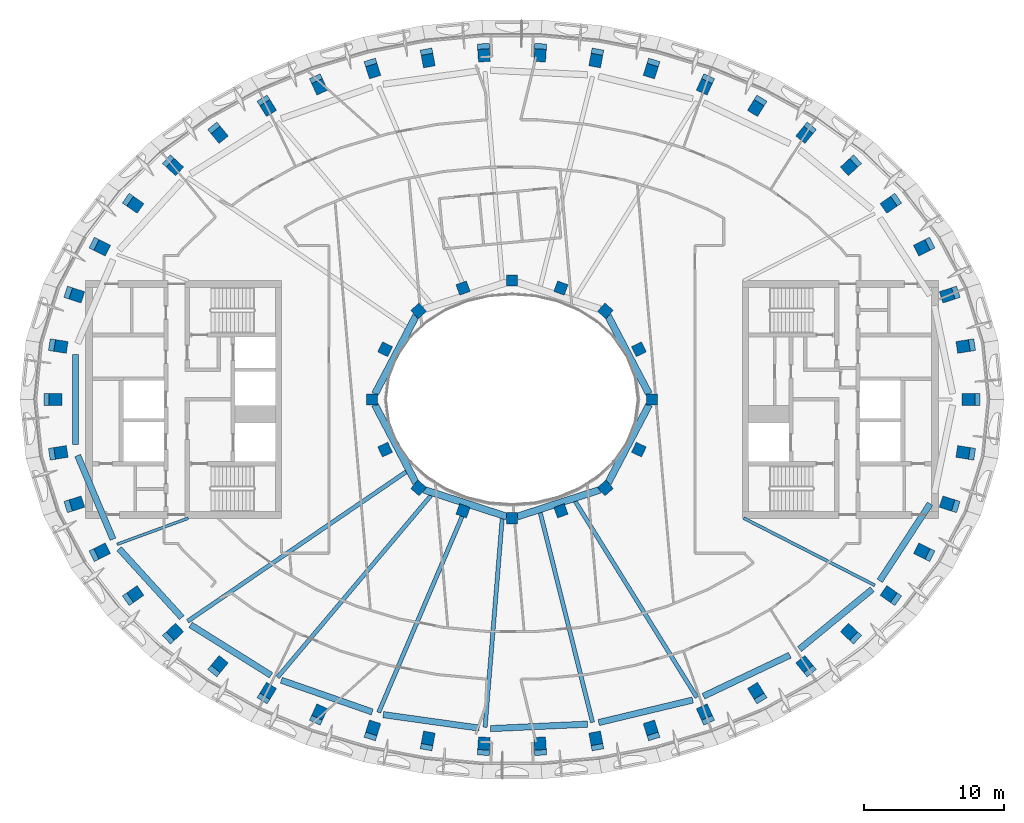
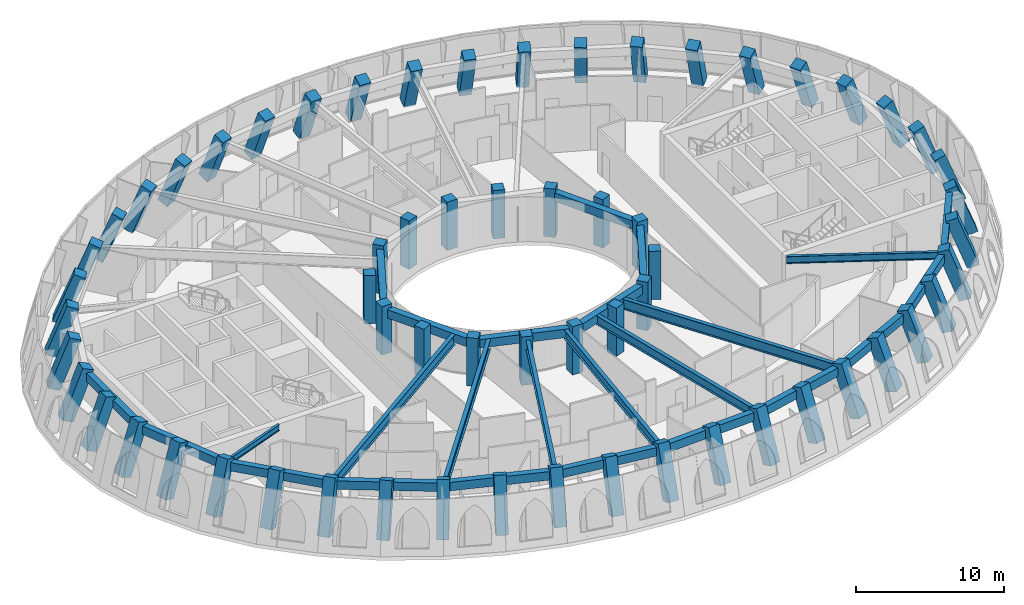
# One storey, part 1 of 14: 62 columns, 25 beams.
"""IFC4 building model written with IfcOpenShell, lengths in metres."""

from ifc_helpers import new_model, si_unit, direction, frame, origin, origin_2d, place, context, subcontext, project, spatial, rectangle, i_section, extrude, material, material_profile, profile_set, type_object, element, save


model = new_model("IFC4")

# Units and contexts
model_context = context("Model", 3, precision=1e-05, world=origin(), true_north=direction((0.0, 1.0)))
body_context = subcontext(model_context, "Body", "Model", "MODEL_VIEW")
ifc_project = project(units=[si_unit("LENGTHUNIT", "METRE"), si_unit("AREAUNIT", "SQUARE_METRE"), si_unit("VOLUMEUNIT", "CUBIC_METRE"), si_unit("PLANEANGLEUNIT", "RADIAN"), si_unit("MASSUNIT", "GRAM", prefix="KILO")], contexts=[model_context])

# Site, building, storey
site_placement = place(None, origin())
site = spatial("IfcSite", under=ifc_project, at=site_placement, CompositionType="ELEMENT")
building_placement = place(site_placement, origin())
building = spatial("IfcBuilding", under=site, at=building_placement, Name="Noorbagh Ring Tower", CompositionType="ELEMENT")
storey_placement = place(building_placement, frame((0.0, 0.0, 339.0)))
storey = spatial("IfcBuildingStorey", under=building, at=storey_placement, Name="L74", CompositionType="ELEMENT", Elevation=339.0)

# Columns
ifc_material_1 = material(Name="Concrete C50/60", Category="concrete")
ifc_material_profile_1 = material_profile(ifc_material_1, rectangle(XDim=0.85009765625, YDim=0.85009765625, at=origin_2d()), Name="RC850x850")
ifc_profile_set_1 = profile_set([ifc_material_profile_1], Name="Concrete C50/60")
column_type_1 = type_object("IfcColumnType", Name="STR-COL-RC850x850-C50-60", PredefinedType="COLUMN", material=ifc_profile_set_1)
column_1_placement = place(storey_placement, frame((33.09423828125, 0.0, 0.021240234375), z_axis=(-0.350534422244, 0.0, 0.936549848552), x_axis=(0.0, -1.0, 0.0)))
element("IfcColumn", 1, at=column_1_placement, inside=storey, type_object=column_type_1, Name="L74/col/R1-01", PredefinedType="COLUMN", context=body_context, shape_type="SweptSolid", body=[
    extrude(rectangle(XDim=0.85009765625, YDim=0.85009765625, at=origin_2d()), origin(), (0.0, 0.0, 1.0), 4.224853515625),
])
column_2_placement = place(storey_placement, frame((32.699462890625, 3.859619140625, 0.021240234375), z_axis=(-0.34611183785, -0.05524844164, 0.936565110068), x_axis=(0.157630366654, -0.987498186079, 0.0)))
element("IfcColumn", 2, at=column_2_placement, inside=storey, type_object=column_type_1, Name="L74/col/R1-02", PredefinedType="COLUMN", context=body_context, shape_type="SweptSolid", body=[
    extrude(rectangle(XDim=0.85009765625, YDim=0.85009765625, at=origin_2d()), origin(), (0.0, 0.0, 1.0), 4.224609375),
])
for number, where, z_axis, x_axis, name in (
    (3, (31.545166015625, 7.5791015625, 0.021240234375), (-0.33329505095, -0.108131617882, 0.936601282418), (0.308597466922, -0.951192726743, 0.0), "L74/col/R1-03"),
    (4, (29.7109375, 11.04296875, 0.021240234375), (-0.313191658537, -0.156971497433, 0.936627425403), (0.448071258187, -0.893997845404, 0.0), "L74/col/R1-04"),
    (5, (27.302490234375, 14.171875, 0.021240234375), (-0.287182170429, -0.200663412302, 0.936621906615), (0.572764626003, -0.819719880935, 0.0), "L74/col/R1-05"),
    (6, (24.4287109375, 16.920654296875, 0.021240234375), (-0.256378627812, -0.238751152275, 0.936625798539), (0.681500799635, -0.731817367993, 0.0), "L74/col/R1-06"),
):
    element("IfcColumn", number, at=place(storey_placement, frame(where, z_axis=z_axis, x_axis=x_axis)), inside=storey, type_object=column_type_1, Name=name, PredefinedType="COLUMN", context=body_context, shape_type="SweptSolid", body=[
        extrude(rectangle(XDim=0.85009765625, YDim=0.85009765625, at=origin_2d()), origin(), (0.0, 0.0, 1.0), 4.224365234375),
    ])
column_3_placement = place(storey_placement, frame((21.189697265625, 19.26953125, 0.021240234375), z_axis=(-0.221991808576, -0.271002236505, 0.936630890338), x_axis=(0.773589639893, -0.633686885654, 0.0)))
element("IfcColumn", 7, at=column_3_placement, inside=storey, type_object=column_type_1, Name="L74/col/R1-07", PredefinedType="COLUMN", context=body_context, shape_type="SweptSolid", body=[
    extrude(rectangle(XDim=0.85009765625, YDim=0.85009765625, at=origin_2d()), origin(), (0.0, 0.0, 1.0), 4.22412109375),
])
column_4_placement = place(storey_placement, frame((17.669921875, 21.21435546875, 0.021240234375), z_axis=(-0.184826425554, -0.297641054285, 0.936615713738), x_axis=(0.849533103063, -0.52753531332, 0.0)))
element("IfcColumn", 8, at=column_4_placement, inside=storey, type_object=column_type_1, Name="L74/col/R1-08", PredefinedType="COLUMN", context=body_context, shape_type="SweptSolid", body=[
    extrude(rectangle(XDim=0.85009765625, YDim=0.85009765625, at=origin_2d()), origin(), (0.0, 0.0, 1.0), 4.224365234375),
])
column_5_placement = place(storey_placement, frame((13.93994140625, 22.758544921875, 0.021240234375), z_axis=(-0.145632763211, -0.318658355692, 0.936615156095), x_axis=(0.909517238912, -0.415666202767, 0.0)))
element("IfcColumn", 9, at=column_5_placement, inside=storey, type_object=column_type_1, Name="L74/col/R1-09", PredefinedType="COLUMN", context=body_context, shape_type="SweptSolid", body=[
    extrude(rectangle(XDim=0.85009765625, YDim=0.85009765625, at=origin_2d()), origin(), (0.0, 0.0, 1.0), 4.224609375),
])
for number, where, z_axis, x_axis, name in (
    (10, (10.058349609375, 23.90869140625, 0.021240234375), (-0.105001516641, -0.334363662787, 0.936576543861), (0.954062417063, -0.299607917699, 0.0), "L74/col/R1-10"),
    (11, (6.074462890625, 24.671142578125, 0.021240234375), (-0.063393304887, -0.344704707067, 0.93656817895), (0.983506486095, -0.180872860896, 0.0), "L74/col/R1-11"),
    (12, (2.03125, 25.051025390625, 0.021240234375), (-0.021208117752, -0.349847261224, 0.936566660498), (0.998167591429, -0.060509994393, 0.0), "L74/col/R1-12"),
    (13, (-2.03125, 25.051025390625, 0.021240234375), (0.021208117752, -0.349847261224, 0.936566660498), (0.998167591429, 0.060509994393, 0.0), "L74/col/R1-13"),
    (14, (-6.074462890625, 24.671142578125, 0.021240234375), (0.063393304887, -0.344704707067, 0.93656817895), (0.983506486095, 0.180872860896, 0.0), "L74/col/R1-14"),
    (15, (-10.058349609375, 23.90869140625, 0.021240234375), (0.105001516641, -0.334363662787, 0.936576543861), (0.954062417063, 0.299607917699, 0.0), "L74/col/R1-15"),
):
    element("IfcColumn", number, at=place(storey_placement, frame(where, z_axis=z_axis, x_axis=x_axis)), inside=storey, type_object=column_type_1, Name=name, PredefinedType="COLUMN", context=body_context, shape_type="SweptSolid", body=[
        extrude(rectangle(XDim=0.85009765625, YDim=0.85009765625, at=origin_2d()), origin(), (0.0, 0.0, 1.0), 4.224853515625),
    ])
column_6_placement = place(storey_placement, frame((-13.93994140625, 22.758544921875, 0.021240234375), z_axis=(0.145632763211, -0.318658355692, 0.936615156095), x_axis=(0.909517238912, 0.415666202767, 0.0)))
element("IfcColumn", 16, at=column_6_placement, inside=storey, type_object=column_type_1, Name="L74/col/R1-16", PredefinedType="COLUMN", context=body_context, shape_type="SweptSolid", body=[
    extrude(rectangle(XDim=0.85009765625, YDim=0.85009765625, at=origin_2d()), origin(), (0.0, 0.0, 1.0), 4.224609375),
])
column_7_placement = place(storey_placement, frame((-17.669921875, 21.21435546875, 0.021240234375), z_axis=(0.184826425554, -0.297641054285, 0.936615713738), x_axis=(0.849533103063, 0.52753531332, 0.0)))
element("IfcColumn", 17, at=column_7_placement, inside=storey, type_object=column_type_1, Name="L74/col/R1-17", PredefinedType="COLUMN", context=body_context, shape_type="SweptSolid", body=[
    extrude(rectangle(XDim=0.85009765625, YDim=0.85009765625, at=origin_2d()), origin(), (0.0, 0.0, 1.0), 4.224365234375),
])
column_8_placement = place(storey_placement, frame((-21.189697265625, 19.26953125, 0.021240234375), z_axis=(0.221991808576, -0.271002236505, 0.936630890338), x_axis=(0.773589639893, 0.633686885654, 0.0)))
element("IfcColumn", 18, at=column_8_placement, inside=storey, type_object=column_type_1, Name="L74/col/R1-18", PredefinedType="COLUMN", context=body_context, shape_type="SweptSolid", body=[
    extrude(rectangle(XDim=0.85009765625, YDim=0.85009765625, at=origin_2d()), origin(), (0.0, 0.0, 1.0), 4.22412109375),
])
for number, where, z_axis, x_axis, name in (
    (19, (-24.4287109375, 16.920654296875, 0.021240234375), (0.256378627812, -0.238751152275, 0.936625798539), (0.681500799635, 0.731817367993, 0.0), "L74/col/R1-19"),
    (20, (-27.302490234375, 14.171875, 0.021240234375), (0.287182170429, -0.200663412302, 0.936621906615), (0.572764626003, 0.819719880935, 0.0), "L74/col/R1-20"),
    (21, (-29.7109375, 11.04296875, 0.021240234375), (0.313191658537, -0.156971497433, 0.936627425403), (0.448071258187, 0.893997845404, 0.0), "L74/col/R1-21"),
    (22, (-31.545166015625, 7.5791015625, 0.021240234375), (0.33329505095, -0.108131617882, 0.936601282418), (0.308597466922, 0.951192726743, 0.0), "L74/col/R1-22"),
):
    element("IfcColumn", number, at=place(storey_placement, frame(where, z_axis=z_axis, x_axis=x_axis)), inside=storey, type_object=column_type_1, Name=name, PredefinedType="COLUMN", context=body_context, shape_type="SweptSolid", body=[
        extrude(rectangle(XDim=0.85009765625, YDim=0.85009765625, at=origin_2d()), origin(), (0.0, 0.0, 1.0), 4.224365234375),
    ])
column_9_placement = place(storey_placement, frame((-32.699462890625, 3.859619140625, 0.021240234375), z_axis=(0.34611183785, -0.05524844164, 0.936565110068), x_axis=(0.157630366654, 0.987498186079, 0.0)))
element("IfcColumn", 23, at=column_9_placement, inside=storey, type_object=column_type_1, Name="L74/col/R1-23", PredefinedType="COLUMN", context=body_context, shape_type="SweptSolid", body=[
    extrude(rectangle(XDim=0.85009765625, YDim=0.85009765625, at=origin_2d()), origin(), (0.0, 0.0, 1.0), 4.224609375),
])
column_10_placement = place(storey_placement, frame((-33.09423828125, 0.0, 0.021240234375), z_axis=(0.350534422244, 0.0, 0.936549848552), x_axis=(0.0, 1.0, 0.0)))
element("IfcColumn", 24, at=column_10_placement, inside=storey, type_object=column_type_1, Name="L74/col/R1-24", PredefinedType="COLUMN", context=body_context, shape_type="SweptSolid", body=[
    extrude(rectangle(XDim=0.85009765625, YDim=0.85009765625, at=origin_2d()), origin(), (0.0, 0.0, 1.0), 4.224853515625),
])
column_11_placement = place(storey_placement, frame((-32.699462890625, -3.859619140625, 0.021240234375), z_axis=(0.34611183785, 0.05524844164, 0.936565110068), x_axis=(-0.157630366654, 0.987498186079, 0.0)))
element("IfcColumn", 25, at=column_11_placement, inside=storey, type_object=column_type_1, Name="L74/col/R1-25", PredefinedType="COLUMN", context=body_context, shape_type="SweptSolid", body=[
    extrude(rectangle(XDim=0.85009765625, YDim=0.85009765625, at=origin_2d()), origin(), (0.0, 0.0, 1.0), 4.224609375),
])
for number, where, z_axis, x_axis, name in (
    (26, (-31.545166015625, -7.5791015625, 0.021240234375), (0.33329505095, 0.108131617882, 0.936601282418), (-0.308597466922, 0.951192726743, 0.0), "L74/col/R1-26"),
    (27, (-29.7109375, -11.04296875, 0.021240234375), (0.313191658537, 0.156971497433, 0.936627425403), (-0.448071258187, 0.893997845404, 0.0), "L74/col/R1-27"),
    (28, (-27.302490234375, -14.171875, 0.021240234375), (0.287182170429, 0.200663412302, 0.936621906615), (-0.572764626003, 0.819719880935, 0.0), "L74/col/R1-28"),
    (29, (-24.4287109375, -16.920654296875, 0.021240234375), (0.256378627812, 0.238751152275, 0.936625798539), (-0.681500799635, 0.731817367993, 0.0), "L74/col/R1-29"),
):
    element("IfcColumn", number, at=place(storey_placement, frame(where, z_axis=z_axis, x_axis=x_axis)), inside=storey, type_object=column_type_1, Name=name, PredefinedType="COLUMN", context=body_context, shape_type="SweptSolid", body=[
        extrude(rectangle(XDim=0.85009765625, YDim=0.85009765625, at=origin_2d()), origin(), (0.0, 0.0, 1.0), 4.224365234375),
    ])
column_12_placement = place(storey_placement, frame((-21.189697265625, -19.26953125, 0.021240234375), z_axis=(0.221991808576, 0.271002236505, 0.936630890338), x_axis=(-0.773589639893, 0.633686885654, 0.0)))
element("IfcColumn", 30, at=column_12_placement, inside=storey, type_object=column_type_1, Name="L74/col/R1-30", PredefinedType="COLUMN", context=body_context, shape_type="SweptSolid", body=[
    extrude(rectangle(XDim=0.85009765625, YDim=0.85009765625, at=origin_2d()), origin(), (0.0, 0.0, 1.0), 4.22412109375),
])
column_13_placement = place(storey_placement, frame((-17.669921875, -21.21435546875, 0.021240234375), z_axis=(0.184826425554, 0.297641054285, 0.936615713738), x_axis=(-0.849533103063, 0.52753531332, 0.0)))
element("IfcColumn", 31, at=column_13_placement, inside=storey, type_object=column_type_1, Name="L74/col/R1-31", PredefinedType="COLUMN", context=body_context, shape_type="SweptSolid", body=[
    extrude(rectangle(XDim=0.85009765625, YDim=0.85009765625, at=origin_2d()), origin(), (0.0, 0.0, 1.0), 4.224365234375),
])
column_14_placement = place(storey_placement, frame((-13.93994140625, -22.758544921875, 0.021240234375), z_axis=(0.145632763211, 0.318658355692, 0.936615156095), x_axis=(-0.909517238912, 0.415666202767, 0.0)))
element("IfcColumn", 32, at=column_14_placement, inside=storey, type_object=column_type_1, Name="L74/col/R1-32", PredefinedType="COLUMN", context=body_context, shape_type="SweptSolid", body=[
    extrude(rectangle(XDim=0.85009765625, YDim=0.85009765625, at=origin_2d()), origin(), (0.0, 0.0, 1.0), 4.224609375),
])
for number, where, z_axis, x_axis, name in (
    (33, (-10.058349609375, -23.90869140625, 0.021240234375), (0.105001516641, 0.334363662787, 0.936576543861), (-0.954062417063, 0.299607917699, 0.0), "L74/col/R1-33"),
    (34, (-6.074462890625, -24.671142578125, 0.021240234375), (0.063393304887, 0.344704707067, 0.93656817895), (-0.983506486095, 0.180872860896, 0.0), "L74/col/R1-34"),
    (35, (-2.03125, -25.051025390625, 0.021240234375), (0.021208117752, 0.349847261224, 0.936566660498), (-0.998167591429, 0.060509994393, 0.0), "L74/col/R1-35"),
    (36, (2.03125, -25.051025390625, 0.021240234375), (-0.021208117752, 0.349847261224, 0.936566660498), (-0.998167591429, -0.060509994393, 0.0), "L74/col/R1-36"),
    (37, (6.074462890625, -24.671142578125, 0.021240234375), (-0.063393304887, 0.344704707067, 0.93656817895), (-0.983506486095, -0.180872860896, 0.0), "L74/col/R1-37"),
    (38, (10.058349609375, -23.90869140625, 0.021240234375), (-0.105001516641, 0.334363662787, 0.936576543861), (-0.954062417063, -0.299607917699, 0.0), "L74/col/R1-38"),
):
    element("IfcColumn", number, at=place(storey_placement, frame(where, z_axis=z_axis, x_axis=x_axis)), inside=storey, type_object=column_type_1, Name=name, PredefinedType="COLUMN", context=body_context, shape_type="SweptSolid", body=[
        extrude(rectangle(XDim=0.85009765625, YDim=0.85009765625, at=origin_2d()), origin(), (0.0, 0.0, 1.0), 4.224853515625),
    ])
column_15_placement = place(storey_placement, frame((13.93994140625, -22.758544921875, 0.021240234375), z_axis=(-0.145632763211, 0.318658355692, 0.936615156095), x_axis=(-0.909517238912, -0.415666202767, 0.0)))
element("IfcColumn", 39, at=column_15_placement, inside=storey, type_object=column_type_1, Name="L74/col/R1-39", PredefinedType="COLUMN", context=body_context, shape_type="SweptSolid", body=[
    extrude(rectangle(XDim=0.85009765625, YDim=0.85009765625, at=origin_2d()), origin(), (0.0, 0.0, 1.0), 4.224609375),
])
column_16_placement = place(storey_placement, frame((17.669921875, -21.21435546875, 0.021240234375), z_axis=(-0.184826425554, 0.297641054285, 0.936615713738), x_axis=(-0.849533103063, -0.52753531332, 0.0)))
element("IfcColumn", 40, at=column_16_placement, inside=storey, type_object=column_type_1, Name="L74/col/R1-40", PredefinedType="COLUMN", context=body_context, shape_type="SweptSolid", body=[
    extrude(rectangle(XDim=0.85009765625, YDim=0.85009765625, at=origin_2d()), origin(), (0.0, 0.0, 1.0), 4.224365234375),
])
column_17_placement = place(storey_placement, frame((21.189697265625, -19.26953125, 0.021240234375), z_axis=(-0.221991808576, 0.271002236505, 0.936630890338), x_axis=(-0.773589639893, -0.633686885654, 0.0)))
element("IfcColumn", 41, at=column_17_placement, inside=storey, type_object=column_type_1, Name="L74/col/R1-41", PredefinedType="COLUMN", context=body_context, shape_type="SweptSolid", body=[
    extrude(rectangle(XDim=0.85009765625, YDim=0.85009765625, at=origin_2d()), origin(), (0.0, 0.0, 1.0), 4.22412109375),
])
for number, where, z_axis, x_axis, name in (
    (42, (24.4287109375, -16.920654296875, 0.021240234375), (-0.256378627812, 0.238751152275, 0.936625798539), (-0.681500799635, -0.731817367993, 0.0), "L74/col/R1-42"),
    (43, (27.302490234375, -14.171875, 0.021240234375), (-0.287182170429, 0.200663412302, 0.936621906615), (-0.572764626003, -0.819719880935, 0.0), "L74/col/R1-43"),
    (44, (29.7109375, -11.04296875, 0.021240234375), (-0.313191658537, 0.156971497433, 0.936627425403), (-0.448071258187, -0.893997845404, 0.0), "L74/col/R1-44"),
    (45, (31.545166015625, -7.5791015625, 0.021240234375), (-0.33329505095, 0.108131617882, 0.936601282418), (-0.308597466922, -0.951192726743, 0.0), "L74/col/R1-45"),
):
    element("IfcColumn", number, at=place(storey_placement, frame(where, z_axis=z_axis, x_axis=x_axis)), inside=storey, type_object=column_type_1, Name=name, PredefinedType="COLUMN", context=body_context, shape_type="SweptSolid", body=[
        extrude(rectangle(XDim=0.85009765625, YDim=0.85009765625, at=origin_2d()), origin(), (0.0, 0.0, 1.0), 4.224365234375),
    ])
column_18_placement = place(storey_placement, frame((32.699462890625, -3.859619140625, 0.021240234375), z_axis=(-0.34611183785, 0.05524844164, 0.936565110068), x_axis=(-0.157630366654, -0.987498186079, 0.0)))
element("IfcColumn", 46, at=column_18_placement, inside=storey, type_object=column_type_1, Name="L74/col/R1-46", PredefinedType="COLUMN", context=body_context, shape_type="SweptSolid", body=[
    extrude(rectangle(XDim=0.85009765625, YDim=0.85009765625, at=origin_2d()), origin(), (0.0, 0.0, 1.0), 4.224609375),
])
ifc_material_2 = material(Name="Concrete C50/60", Category="concrete")
ifc_material_profile_2 = material_profile(ifc_material_2, rectangle(XDim=0.800048828125, YDim=0.800048828125, at=origin_2d()), Name="RC800x800")
ifc_profile_set_2 = profile_set([ifc_material_profile_2], Name="Concrete C50/60")
column_type_2 = type_object("IfcColumnType", Name="STR-ICOL-RC800x800-C50-60", PredefinedType="COLUMN", material=ifc_profile_set_2)
for number, where, z_axis, x_axis, name in (
    (47, (10.00830078125, 0.0, 0.0), (0.0, 0.0, 1.0), (0.0, 1.0, 0.0), "L74/col/IR2-W01"),
    (48, (9.07568359375, 3.58837890625, 0.0), (0.0, 0.0, 1.0), (-0.428666979171, 0.903462573087, 0.0), "L74/col/IR2-W03"),
    (49, (6.68212890625, 6.333740234375, 0.0), (0.0, 0.0, 1.0), (-0.75102249095, 0.660276622399, 0.0), "L74/col/IR2-W05"),
    (50, (3.5009765625, 7.967041015625, 0.0), (0.0, 0.0, 1.0), (-0.939019578916, 0.343863679984, 0.0), "L74/col/IR2-W07"),
    (51, (0.0, 8.5029296875, 0.0), (0.0, 0.0, 1.0), (-1.0, 0.0, 0.0), "L74/col/IR2-W09"),
    (52, (-3.5009765625, 7.967041015625, 0.0), (0.0, 0.0, 1.0), (-0.939019578916, -0.343863679984, 0.0), "L74/col/IR2-W11"),
    (53, (-6.68212890625, 6.333740234375, 0.0), (0.0, 0.0, 1.0), (-0.75102249095, -0.660276622399, 0.0), "L74/col/IR2-W13"),
    (54, (-9.07568359375, 3.58837890625, 0.0), (0.0, 0.0, 1.0), (-0.428666979171, -0.903462573087, 0.0), "L74/col/IR2-W15"),
    (55, (-10.00830078125, 0.0, 0.0), (0.0, 0.0, 1.0), (0.0, -1.0, 0.0), "L74/col/IR2-W17"),
    (56, (-9.07568359375, -3.58837890625, 0.0), (0.0, 0.0, 1.0), (0.428666979171, -0.903462573087, 0.0), "L74/col/IR2-W19"),
    (57, (-6.68212890625, -6.333740234375, 0.0), (0.0, 0.0, 1.0), (0.75102249095, -0.660276622399, 0.0), "L74/col/IR2-W21"),
    (58, (-3.5009765625, -7.967041015625, 0.0), (0.0, 0.0, 1.0), (0.939019578916, -0.343863679984, 0.0), "L74/col/IR2-W23"),
    (59, (0.0, -8.5029296875, 0.0), (0.0, 0.0, 1.0), (1.0, 0.0, 0.0), "L74/col/IR2-W25"),
    (60, (3.5009765625, -7.967041015625, 0.0), (0.0, 0.0, 1.0), (0.939019578916, 0.343863679984, 0.0), "L74/col/IR2-W27"),
    (61, (6.68212890625, -6.333740234375, 0.0), (0.0, 0.0, 1.0), (0.75102249095, 0.660276622399, 0.0), "L74/col/IR2-W29"),
    (62, (9.07568359375, -3.58837890625, 0.0), (0.0, 0.0, 1.0), (0.428666979171, 0.903462573087, 0.0), "L74/col/IR2-W31"),
):
    element("IfcColumn", number, at=place(storey_placement, frame(where, z_axis=z_axis, x_axis=x_axis)), inside=storey, type_object=column_type_2, Name=name, PredefinedType="COLUMN", context=body_context, shape_type="SweptSolid", body=[
        extrude(rectangle(XDim=0.800048828125, YDim=0.800048828125, at=origin_2d()), origin(), (0.0, 0.0, 1.0), 4.0),
    ])

# Beams
ifc_material_3 = material(Name="Steel S355", Category="steel")
ifc_material_profile_3 = material_profile(ifc_material_3, i_section(OverallWidth=0.199951171875, OverallDepth=0.5, WebThickness=0.01025390625, FlangeThickness=0.01611328125, FilletRadius=0.02099609375, at=origin_2d()), Name="IPE500")
ifc_profile_set_3 = profile_set([ifc_material_profile_3], Name="Steel S355")
beam_type_1 = type_object("IfcBeamType", Name="STR-RAD-IPE500", PredefinedType="BEAM", material=ifc_profile_set_3)
beam_1_placement = place(storey_placement, frame((-28.2490234375, -10.36279296875, 3.449951171875), z_axis=(0.938825916559, 0.344392070752, 0.0), x_axis=(-0.344392070752, 0.938825916559, 0.0)))
element("IfcBeam", 63, at=beam_1_placement, inside=storey, type_object=beam_type_1, Name="L74/bm/RD27", PredefinedType="BEAM", context=body_context, shape_type="SweptSolid", body=[
    extrude(i_section(OverallWidth=0.199951171875, OverallDepth=0.5, WebThickness=0.01025390625, FlangeThickness=0.01611328125, FilletRadius=0.02099609375, at=origin_2d()), origin(), (0.0, 0.0, 1.0), 5.4287109375),
])
ifc_material_4 = material(Name="Steel S355", Category="steel")
ifc_material_profile_4 = material_profile(ifc_material_4, i_section(OverallWidth=0.219970703125, OverallDepth=0.60009765625, WebThickness=0.011962890625, FlangeThickness=0.01904296875, FilletRadius=0.02392578125, at=origin_2d()), Name="IPE600")
ifc_profile_set_4 = profile_set([ifc_material_profile_4], Name="Steel S355")
beam_type_2 = type_object("IfcBeamType", Name="STR-RAD-IPE600", PredefinedType="BEAM", material=ifc_profile_set_4)
beam_2_placement = place(storey_placement, frame((25.946044921875, -13.293701171875, 3.39990234375), z_axis=(-0.889989222768, 0.455981560326, 0.0), x_axis=(-0.455981560326, -0.889989222768, 0.0)))
element("IfcBeam", 64, at=beam_2_placement, inside=storey, type_object=beam_type_2, Name="L74/bm/RD43", PredefinedType="BEAM", context=body_context, shape_type="SweptSolid", body=[
    extrude(i_section(OverallWidth=0.219970703125, OverallDepth=0.60009765625, WebThickness=0.011962890625, FlangeThickness=0.01904296875, FilletRadius=0.02392578125, at=origin_2d()), origin(), (0.0, 0.0, 1.0), 10.53271484375),
])
ifc_material_5 = material(Name="Steel S355", Category="steel")
ifc_material_profile_5 = material_profile(ifc_material_5, i_section(OverallWidth=0.300048828125, OverallDepth=0.75, WebThickness=0.013916015625, FlangeThickness=0.02587890625, at=origin_2d()), Name="PG750x300x14x26")
ifc_profile_set_5 = profile_set([ifc_material_profile_5], Name="Steel S355")
beam_type_3 = type_object("IfcBeamType", Name="STR-RAD-PG750x300x14x26", PredefinedType="BEAM", material=ifc_profile_set_5)
beam_3_placement = place(storey_placement, frame((-9.5380859375, -22.386962890625, 3.324951171875), z_axis=(0.391958791076, 0.919982774892, 0.0), x_axis=(-0.919982774892, 0.391958791076, 0.0)))
element("IfcBeam", 65, at=beam_3_placement, inside=storey, type_object=beam_type_3, Name="L74/bm/RD33", PredefinedType="BEAM", context=body_context, shape_type="SweptSolid", body=[
    extrude(i_section(OverallWidth=0.300048828125, OverallDepth=0.75, WebThickness=0.013916015625, FlangeThickness=0.02587890625, at=origin_2d()), origin(), (0.0, 0.0, 1.0), 15.983642578125),
])
beam_4_placement = place(storey_placement, frame((-1.925537109375, -23.450439453125, 3.324951171875), z_axis=(0.081833076526, 0.9966460493, 0.0), x_axis=(-0.9966460493, 0.081833076526, 0.0)))
element("IfcBeam", 66, at=beam_4_placement, inside=storey, type_object=beam_type_3, Name="L74/bm/RD35", PredefinedType="BEAM", context=body_context, shape_type="SweptSolid", body=[
    extrude(i_section(OverallWidth=0.300048828125, OverallDepth=0.75, WebThickness=0.013916015625, FlangeThickness=0.02587890625, at=origin_2d()), origin(), (0.0, 0.0, 1.0), 14.982666015625),
])
beam_5_placement = place(storey_placement, frame((5.759033203125, -23.0966796875, 3.324951171875), z_axis=(-0.241941309375, 0.970290885672, 0.0), x_axis=(-0.970290885672, -0.241941309375, 0.0)))
element("IfcBeam", 67, at=beam_5_placement, inside=storey, type_object=beam_type_3, Name="L74/bm/RD37", PredefinedType="BEAM", context=body_context, shape_type="SweptSolid", body=[
    extrude(i_section(OverallWidth=0.300048828125, OverallDepth=0.75, WebThickness=0.013916015625, FlangeThickness=0.02587890625, at=origin_2d()), origin(), (0.0, 0.0, 1.0), 15.46630859375),
])
ifc_material_6 = material(Name="Steel S355", Category="steel")
ifc_material_profile_6 = material_profile(ifc_material_6, i_section(OverallWidth=0.300048828125, OverallDepth=0.85009765625, WebThickness=0.013916015625, FlangeThickness=0.028076171875, at=origin_2d()), Name="PG850x300x14x28")
ifc_profile_set_6 = profile_set([ifc_material_profile_6], Name="Steel S355")
beam_type_4 = type_object("IfcBeamType", Name="STR-RAD-PG850x300x14x28", PredefinedType="BEAM", material=ifc_profile_set_6)
beam_6_placement = place(storey_placement, frame((-23.202880859375, -15.865478515625, 3.27490234375), z_axis=(0.825471816263, 0.564443336886, 0.0), x_axis=(-0.564443336886, 0.825471816263, 0.0)))
element("IfcBeam", 68, at=beam_6_placement, inside=storey, type_object=beam_type_4, Name="L74/bm/RD29", PredefinedType="BEAM", context=body_context, shape_type="SweptSolid", body=[
    extrude(i_section(OverallWidth=0.300048828125, OverallDepth=0.85009765625, WebThickness=0.013916015625, FlangeThickness=0.028076171875, at=origin_2d()), origin(), (0.0, 0.0, 1.0), 18.955810546875),
])
beam_7_placement = place(storey_placement, frame((-16.76708984375, -19.875732421875, 3.27490234375), z_axis=(0.64479762158, 0.764353339238, 0.0), x_axis=(-0.764353339238, 0.64479762158, 0.0)))
element("IfcBeam", 69, at=beam_7_placement, inside=storey, type_object=beam_type_4, Name="L74/bm/RD31", PredefinedType="BEAM", context=body_context, shape_type="SweptSolid", body=[
    extrude(i_section(OverallWidth=0.300048828125, OverallDepth=0.85009765625, WebThickness=0.013916015625, FlangeThickness=0.028076171875, at=origin_2d()), origin(), (0.0, 0.0, 1.0), 17.0205078125),
])
beam_8_placement = place(storey_placement, frame((13.222900390625, -21.3154296875, 3.27490234375), z_axis=(-0.527159378283, 0.84976643255, 0.0), x_axis=(-0.84976643255, -0.527159378283, 0.0)))
element("IfcBeam", 70, at=beam_8_placement, inside=storey, type_object=beam_type_4, Name="L74/bm/RD39", PredefinedType="BEAM", context=body_context, shape_type="SweptSolid", body=[
    extrude(i_section(OverallWidth=0.300048828125, OverallDepth=0.85009765625, WebThickness=0.013916015625, FlangeThickness=0.028076171875, at=origin_2d()), origin(), (0.0, 0.0, 1.0), 16.517333984375),
])
ifc_material_7 = material(Name="Concrete C40/50", Category="concrete")
ifc_material_profile_7 = material_profile(ifc_material_7, rectangle(XDim=0.5, YDim=0.699951171875, at=origin_2d()), Name="RC500x700")
ifc_profile_set_7 = profile_set([ifc_material_profile_7], Name="Concrete C40/50")
beam_type_5 = type_object("IfcBeamType", Name="STR-RB-RC500x700-C40-50", PredefinedType="BEAM", material=ifc_profile_set_7)
for number, where, z_axis, x_axis, name in (
    (71, (9.8076171875, 0.38232421875, 3.35009765625), (-0.464943021964, 0.885340604698, 0.0), (-0.885340604698, -0.464943021964, 0.0), "L74/bm/RG01"),
    (72, (-6.8720703125, 5.97216796875, 3.35009765625), (-0.464943021964, -0.885340604698, 0.0), (0.885340604698, -0.464943021964, 0.0), "L74/bm/RG07"),
    (73, (-9.8076171875, -0.38232421875, 3.35009765625), (0.464943021964, -0.885340604698, 0.0), (0.885340604698, 0.464943021964, 0.0), "L74/bm/RG09"),
):
    element("IfcBeam", number, at=place(storey_placement, frame(where, z_axis=z_axis, x_axis=x_axis)), inside=storey, type_object=beam_type_5, Name=name, PredefinedType="BEAM", context=body_context, shape_type="SweptSolid", body=[
        extrude(rectangle(XDim=0.5, YDim=0.699951171875, at=origin_2d()), origin(), (0.0, 0.0, 1.0), 6.313720703125),
    ])
for number, where, z_axis, x_axis, name in (
    (74, (-6.286865234375, -6.462158203125, 3.35009765625), (0.951150444931, -0.308727762126, 0.0), (0.308727762126, 0.951150444931, 0.0), "L74/bm/RG11"),
    (75, (0.380859375, -8.379150390625, 3.35009765625), (0.951150444931, 0.308727762126, 0.0), (-0.308727762126, 0.951150444931, 0.0), "L74/bm/RG13"),
):
    element("IfcBeam", number, at=place(storey_placement, frame(where, z_axis=z_axis, x_axis=x_axis)), inside=storey, type_object=beam_type_5, Name=name, PredefinedType="BEAM", context=body_context, shape_type="SweptSolid", body=[
        extrude(rectangle(XDim=0.5, YDim=0.699951171875, at=origin_2d()), origin(), (0.0, 0.0, 1.0), 6.209228515625),
    ])
beam_9_placement = place(storey_placement, frame((6.8720703125, -5.97216796875, 3.35009765625), z_axis=(0.464943021964, 0.885340604698, 0.0), x_axis=(-0.885340604698, 0.464943021964, 0.0)))
element("IfcBeam", 76, at=beam_9_placement, inside=storey, type_object=beam_type_5, Name="L74/bm/RG15", PredefinedType="BEAM", context=body_context, shape_type="SweptSolid", body=[
    extrude(rectangle(XDim=0.5, YDim=0.699951171875, at=origin_2d()), origin(), (0.0, 0.0, 1.0), 6.313720703125),
])
ifc_material_8 = material(Name="Concrete C40/50", Category="concrete")
ifc_material_profile_8 = material_profile(ifc_material_8, rectangle(XDim=0.449951171875, YDim=0.699951171875, at=origin_2d()), Name="RC450x700")
ifc_profile_set_8 = profile_set([ifc_material_profile_8], Name="Concrete C40/50")
beam_type_6 = type_object("IfcBeamType", Name="STR-SB-RC450x700-C40-50", PredefinedType="BEAM", material=ifc_profile_set_8)
beam_10_placement = place(storey_placement, frame((-31.22900390625, 3.2109375, 3.35009765625), z_axis=(0.0, -1.0, 0.0), x_axis=(1.0, 0.0, 0.0)))
element("IfcBeam", 77, at=beam_10_placement, inside=storey, type_object=beam_type_6, Name="L74/bm/SP23", PredefinedType="BEAM", context=body_context, shape_type="SweptSolid", body=[
    extrude(rectangle(XDim=0.449951171875, YDim=0.699951171875, at=origin_2d()), origin(), (0.0, 0.0, 1.0), 6.421875),
])
beam_11_placement = place(storey_placement, frame((-31.068359375, -4.005615234375, 3.35009765625), z_axis=(0.388751800877, -0.921342518999, 0.0), x_axis=(0.921342518999, 0.388751800877, 0.0)))
element("IfcBeam", 78, at=beam_11_placement, inside=storey, type_object=beam_type_6, Name="L74/bm/SP25", PredefinedType="BEAM", context=body_context, shape_type="SweptSolid", body=[
    extrude(rectangle(XDim=0.449951171875, YDim=0.699951171875, at=origin_2d()), origin(), (0.0, 0.0, 1.0), 6.50244140625),
])
beam_12_placement = place(storey_placement, frame((-28.10400390625, -10.679443359375, 3.35009765625), z_axis=(0.673629683488, -0.739069042461, 0.0), x_axis=(0.739069042461, 0.673629683488, 0.0)))
element("IfcBeam", 79, at=beam_12_placement, inside=storey, type_object=beam_type_6, Name="L74/bm/SP27", PredefinedType="BEAM", context=body_context, shape_type="SweptSolid", body=[
    extrude(rectangle(XDim=0.449951171875, YDim=0.699951171875, at=origin_2d()), origin(), (0.0, 0.0, 1.0), 6.6630859375),
])
beam_13_placement = place(storey_placement, frame((-22.993408203125, -16.12353515625, 3.35009765625), z_axis=(0.847467416687, -0.530847414663, 0.0), x_axis=(0.530847414663, 0.847467416687, 0.0)))
element("IfcBeam", 80, at=beam_13_placement, inside=storey, type_object=beam_type_6, Name="L74/bm/SP29", PredefinedType="BEAM", context=body_context, shape_type="SweptSolid", body=[
    extrude(rectangle(XDim=0.449951171875, YDim=0.699951171875, at=origin_2d()), origin(), (0.0, 0.0, 1.0), 6.80029296875),
])
beam_14_placement = place(storey_placement, frame((-16.5, -20.084228515625, 3.35009765625), z_axis=(0.944137617488, -0.329551451588, 0.0), x_axis=(0.329551451588, 0.944137617488, 0.0)))
element("IfcBeam", 81, at=beam_14_placement, inside=storey, type_object=beam_type_6, Name="L74/bm/SP31", PredefinedType="BEAM", context=body_context, shape_type="SweptSolid", body=[
    extrude(rectangle(XDim=0.449951171875, YDim=0.699951171875, at=origin_2d()), origin(), (0.0, 0.0, 1.0), 6.88818359375),
])
beam_15_placement = place(storey_placement, frame((-9.209228515625, -22.544921875, 3.35009765625), z_axis=(0.990297208371, -0.138965603991, 0.0), x_axis=(0.138965603991, 0.990297208371, 0.0)))
element("IfcBeam", 82, at=beam_15_placement, inside=storey, type_object=beam_type_6, Name="L74/bm/SP33", PredefinedType="BEAM", context=body_context, shape_type="SweptSolid", body=[
    extrude(rectangle(XDim=0.449951171875, YDim=0.699951171875, at=origin_2d()), origin(), (0.0, 0.0, 1.0), 6.9326171875),
])
beam_16_placement = place(storey_placement, frame((-1.534912109375, -23.5458984375, 3.35009765625), z_axis=(0.998934615126, 0.046147965318, 0.0), x_axis=(-0.046147965318, 0.998934615126, 0.0)))
element("IfcBeam", 83, at=beam_16_placement, inside=storey, type_object=beam_type_6, Name="L74/bm/SP35", PredefinedType="BEAM", context=body_context, shape_type="SweptSolid", body=[
    extrude(rectangle(XDim=0.449951171875, YDim=0.699951171875, at=origin_2d()), origin(), (0.0, 0.0, 1.0), 6.94091796875),
])
beam_17_placement = place(storey_placement, frame((6.200927734375, -23.11181640625, 3.35009765625), z_axis=(0.97244591953, 0.233128577376, 0.0), x_axis=(-0.233128577376, 0.97244591953, 0.0)))
element("IfcBeam", 84, at=beam_17_placement, inside=storey, type_object=beam_type_6, Name="L74/bm/SP37", PredefinedType="BEAM", context=body_context, shape_type="SweptSolid", body=[
    extrude(rectangle(XDim=0.449951171875, YDim=0.699951171875, at=origin_2d()), origin(), (0.0, 0.0, 1.0), 6.914794921875),
])
beam_18_placement = place(storey_placement, frame((13.689453125, -21.22998046875, 3.35009765625), z_axis=(0.903440082479, 0.428714377377, 0.0), x_axis=(-0.428714377377, 0.903440082479, 0.0)))
element("IfcBeam", 85, at=beam_18_placement, inside=storey, type_object=beam_type_6, Name="L74/bm/SP39", PredefinedType="BEAM", context=body_context, shape_type="SweptSolid", body=[
    extrude(rectangle(XDim=0.449951171875, YDim=0.699951171875, at=origin_2d()), origin(), (0.0, 0.0, 1.0), 6.85009765625),
])
beam_19_placement = place(storey_placement, frame((20.562255859375, -17.85888671875, 3.35009765625), z_axis=(0.772380847174, 0.635159686157, 0.0), x_axis=(-0.635159686157, 0.772380847174, 0.0)))
element("IfcBeam", 86, at=beam_19_placement, inside=storey, type_object=beam_type_6, Name="L74/bm/SP41", PredefinedType="BEAM", context=body_context, shape_type="SweptSolid", body=[
    extrude(rectangle(XDim=0.449951171875, YDim=0.699951171875, at=origin_2d()), origin(), (0.0, 0.0, 1.0), 6.73779296875),
])
beam_20_placement = place(storey_placement, frame((26.30712890625, -12.9755859375, 3.35009765625), z_axis=(0.546566498774, 0.837415704664, 0.0), x_axis=(-0.837415704664, 0.546566498774, 0.0)))
element("IfcBeam", 87, at=beam_20_placement, inside=storey, type_object=beam_type_6, Name="L74/bm/SP43", PredefinedType="BEAM", context=body_context, shape_type="SweptSolid", body=[
    extrude(rectangle(XDim=0.449951171875, YDim=0.699951171875, at=origin_2d()), origin(), (0.0, 0.0, 1.0), 6.5810546875),
])

save(model, "model.ifc")
